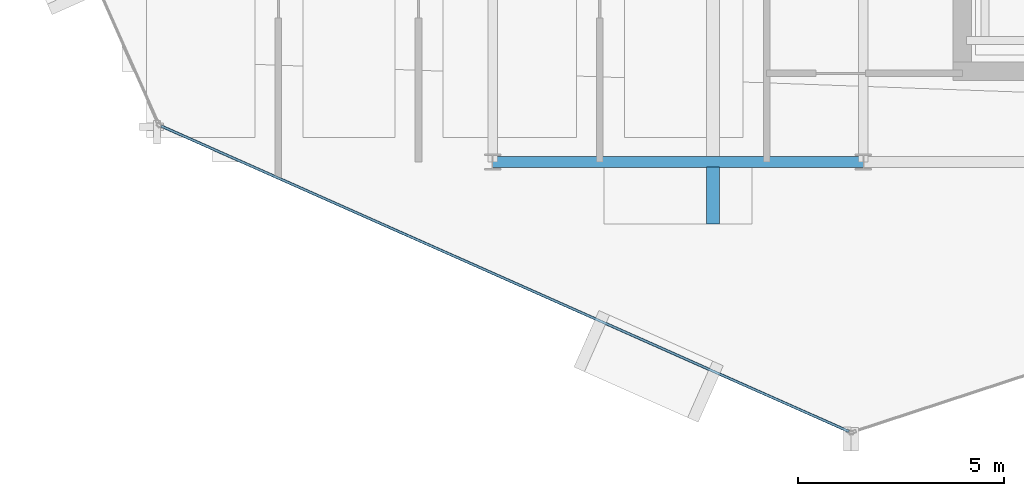
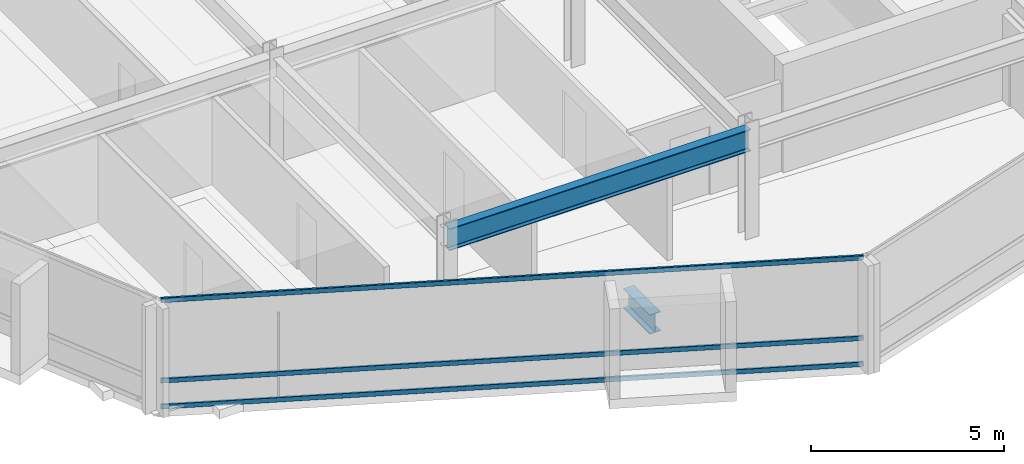
# One storey, part 3 of 27: 3 members, 2 beams, 1 element without a shape of its own.
"""IFC4 building model written with IfcOpenShell, lengths in metres."""

from ifc_helpers import new_model, si_unit, direction, frame, origin, origin_2d, place, context, subcontext, project, spatial, hollow_rectangle, i_section, extrude, material, layer, layer_set, material_profile, profile_set, type_object, element, aggregate, save


model = new_model("IFC4")

# Units and contexts
model_context = context("Model", 3, precision=1e-05, world=origin(), true_north=direction((0.0, 1.0)))
body_context = subcontext(model_context, "Body", "Model", "MODEL_VIEW")
ifc_project = project(units=[si_unit("LENGTHUNIT", "METRE"), si_unit("AREAUNIT", "SQUARE_METRE"), si_unit("VOLUMEUNIT", "CUBIC_METRE"), si_unit("PLANEANGLEUNIT", "RADIAN"), si_unit("MASSUNIT", "GRAM", prefix="KILO")], contexts=[model_context])

# Site, building, storey
site_placement = place(None, origin())
site = spatial("IfcSite", under=ifc_project, at=site_placement, CompositionType="ELEMENT")
building_placement = place(site_placement, origin())
building = spatial("IfcBuilding", under=site, at=building_placement, Name="Solvaryn Broadcast Tower", CompositionType="ELEMENT")
storey_placement = place(building_placement, frame((0.0, 0.0, 228.39990234375)))
storey = spatial("IfcBuildingStorey", under=building, at=storey_placement, Name="L57", CompositionType="ELEMENT", Elevation=228.39990234375)

# Beams
ifc_material_1 = material(Name="Steel ASTM A992 Grade 50", Category="steel")
ifc_material_profile_1 = material_profile(ifc_material_1, i_section(OverallWidth=0.323974609375, OverallDepth=0.611083984375, WebThickness=0.0126953125, FlangeThickness=0.01904296875, FilletRadius=0.014892578125, at=origin_2d()))
ifc_profile_set_1 = profile_set([ifc_material_profile_1], Name="Steel ASTM A992 Grade 50")
beam_type_1 = type_object("IfcBeamType", Name="BM-CANT-TER", PredefinedType="BEAM", material=ifc_profile_set_1)
beam_1_placement = place(storey_placement, frame((23.35009765625, 8.875, -0.58544921875), z_axis=(0.0, -1.0, 0.0), x_axis=(1.0, 0.0, 0.0)))
element("IfcBeam", 1, at=beam_1_placement, inside=storey, type_object=beam_type_1, Name="L57 Bay-Box Cantilever Bracket 1", PredefinedType="BEAM", context=body_context, shape_type="SweptSolid", body=[
    extrude(i_section(OverallWidth=0.323974609375, OverallDepth=0.611083984375, WebThickness=0.0126953125, FlangeThickness=0.01904296875, FilletRadius=0.014892578125, at=origin_2d()), origin(), (0.0, 0.0, 1.0), 1.375),
])
ifc_material_2 = material(Name="Steel ASTM A992 Grade 50", Category="steel")
ifc_material_profile_2 = material_profile(ifc_material_2, i_section(OverallWidth=0.256103515625, OverallDepth=0.693115234375, WebThickness=0.014404296875, FlangeThickness=0.023681640625, FilletRadius=0.01611328125, at=origin_2d()))
ifc_profile_set_2 = profile_set([ifc_material_profile_2], Name="Steel ASTM A992 Grade 50")
beam_type_2 = type_object("IfcBeamType", Name="BM-SP3-W27X114", PredefinedType="USERDEFINED", material=ifc_profile_set_2)
beam_2_placement = place(storey_placement, frame((18.0, 9.0, 3.073486328125), z_axis=(1.0, 0.0, 0.0), x_axis=(0.0, 1.0, 0.0)))
element("IfcBeam", 2, at=beam_2_placement, inside=storey, type_object=beam_type_2, Name="L57 Spandrel Beam X (18-27 @ Y=9)", ObjectType="SPANDREL", PredefinedType="USERDEFINED", context=body_context, shape_type="SweptSolid", body=[
    extrude(i_section(OverallWidth=0.256103515625, OverallDepth=0.693115234375, WebThickness=0.014404296875, FlangeThickness=0.023681640625, FilletRadius=0.01611328125, at=origin_2d()), origin(), (0.0, 0.0, 1.0), 9.0),
])

# Curtain wall, members
ifc_material_3 = material(Name="Aluminium and Terracotta Unitised Curtain Wall", Category="masonry")
ifc_layer = layer(ifc_material_3, 0.199951171875)
ifc_layer_set = layer_set([ifc_layer], Name="CW-SYS2-LOWMID")
curtain_wall_type = type_object("IfcCurtainWallType", Name="CW-SYS2-LOWMID", PredefinedType="NOTDEFINED", material=ifc_layer_set)
curtain_wall_placement = place(storey_placement, origin())
curtain_wall = element("IfcCurtainWall", 3, at=curtain_wall_placement, inside=storey, type_object=curtain_wall_type, Name="L57 Curtain Wall DR3", PredefinedType="NOTDEFINED")
ifc_material_4 = material(Name="Anodised Aluminium 6063-T6", Category="aluminium")
ifc_material_profile_3 = material_profile(ifc_material_4, hollow_rectangle(XDim=0.06494140625, YDim=0.14990234375, WallThickness=0.00390625, InnerFilletRadius=0.00390625, OuterFilletRadius=0.008056640625, at=origin_2d()))
ifc_profile_set_3 = profile_set([ifc_material_profile_3], Name="Anodised Aluminium 6063-T6")
member_type = type_object("IfcMemberType", Name="CW-TRN-150", PredefinedType="USERDEFINED", material=ifc_profile_set_3)
member_1_placement = place(storey_placement, frame((9.952880859375, 9.87353515625, 0.030029296875), z_axis=(0.913916761992, -0.405901653299, 0.0), x_axis=(0.405901653299, 0.913916761992, 0.0)))
member_1 = element("IfcMember", 4, at=member_1_placement, type_object=member_type, Name="CWS2 transom 1.1", ObjectType="TRANSOM", PredefinedType="USERDEFINED", context=body_context, shape_type="SweptSolid", body=[
    extrude(hollow_rectangle(XDim=0.06494140625, YDim=0.14990234375, WallThickness=0.00390625, InnerFilletRadius=0.00390625, OuterFilletRadius=0.008056640625, at=origin_2d()), origin(), (0.0, 0.0, 1.0), 18.27099609375),
])
member_2_placement = place(storey_placement, frame((9.952880859375, 9.87353515625, 0.85009765625), z_axis=(0.913916761992, -0.405901653299, 0.0), x_axis=(0.405901653299, 0.913916761992, 0.0)))
member_2 = element("IfcMember", 5, at=member_2_placement, type_object=member_type, Name="CWS2 transom 1.2", ObjectType="TRANSOM", PredefinedType="USERDEFINED", context=body_context, shape_type="SweptSolid", body=[
    extrude(hollow_rectangle(XDim=0.06494140625, YDim=0.14990234375, WallThickness=0.00390625, InnerFilletRadius=0.00390625, OuterFilletRadius=0.008056640625, at=origin_2d()), origin(), (0.0, 0.0, 1.0), 18.27099609375),
])
member_3_placement = place(storey_placement, frame((9.952880859375, 9.87353515625, 3.39013671875), z_axis=(0.913916761992, -0.405901653299, 0.0), x_axis=(0.405901653299, 0.913916761992, 0.0)))
member_3 = element("IfcMember", 6, at=member_3_placement, type_object=member_type, Name="CWS2 transom 1.3", ObjectType="TRANSOM", PredefinedType="USERDEFINED", context=body_context, shape_type="SweptSolid", body=[
    extrude(hollow_rectangle(XDim=0.06494140625, YDim=0.14990234375, WallThickness=0.00390625, InnerFilletRadius=0.00390625, OuterFilletRadius=0.008056640625, at=origin_2d()), origin(), (0.0, 0.0, 1.0), 18.27099609375),
])
aggregate(curtain_wall, [member_1, member_2, member_3])

save(model, "model.ifc")
